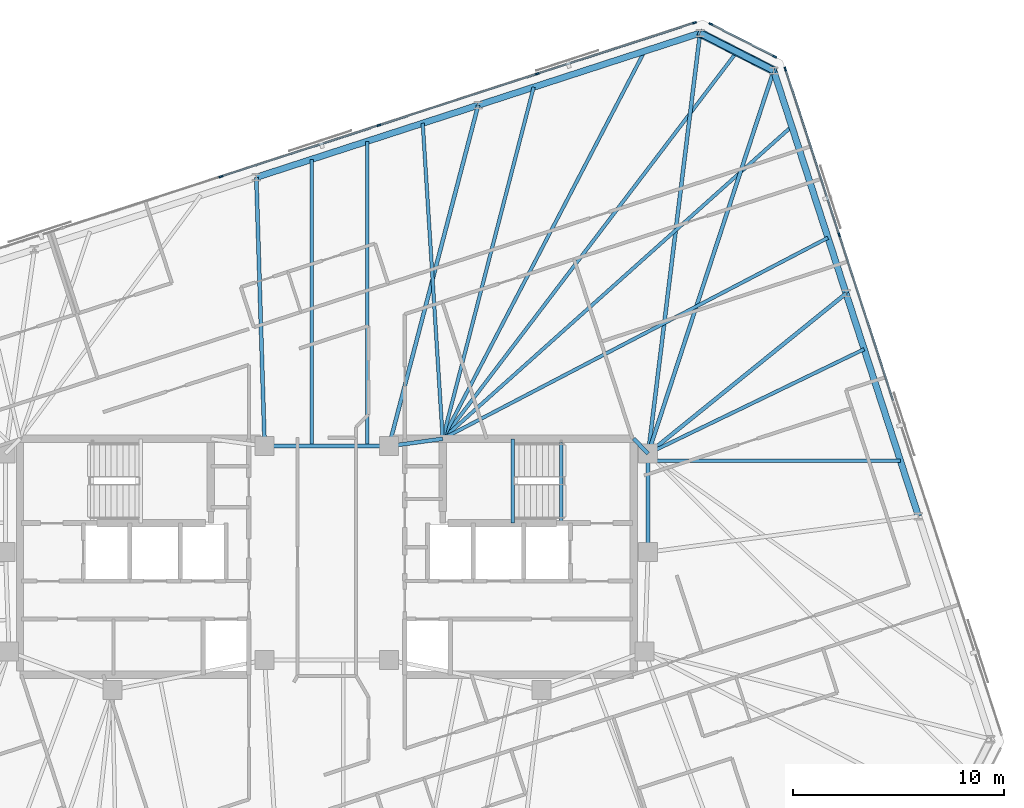
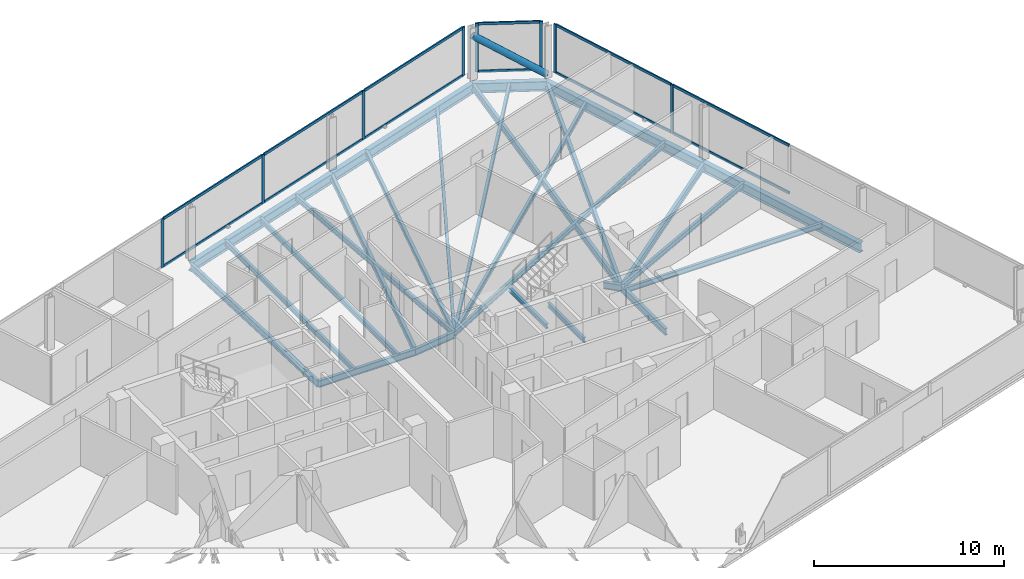
# One storey, part 10 of 19: 26 beams, 21 members, 3 elements without a shape of their own.
"""IFC4 building model written with IfcOpenShell, lengths in metres."""

from ifc_helpers import new_model, si_unit, direction, frame, origin, origin_2d, place, context, subcontext, project, spatial, rectangle, hollow_circle, i_section, extrude, material, material_profile, profile_set, type_object, element, aggregate, save


model = new_model("IFC4")

# Units and contexts
model_context = context("Model", 3, precision=1e-05, world=origin(), true_north=direction((0.0, 1.0)))
body_context = subcontext(model_context, "Body", "Model", "MODEL_VIEW")
ifc_project = project(units=[si_unit("LENGTHUNIT", "METRE"), si_unit("AREAUNIT", "SQUARE_METRE"), si_unit("VOLUMEUNIT", "CUBIC_METRE"), si_unit("PLANEANGLEUNIT", "RADIAN"), si_unit("MASSUNIT", "GRAM", prefix="KILO")], contexts=[model_context])

# Site, building, storey
site_placement = place(None, origin())
site = spatial("IfcSite", under=ifc_project, at=site_placement, CompositionType="ELEMENT")
building_placement = place(site_placement, origin())
building = spatial("IfcBuilding", under=site, at=building_placement, Name="Menara Jurai Vektor", CompositionType="ELEMENT")
storey_placement = place(building_placement, frame((0.0, 0.0, 220.949951171875)))
storey = spatial("IfcBuildingStorey", under=building, at=storey_placement, Name="L58", CompositionType="ELEMENT", Elevation=220.949951171875)

# Curtain wall, members
ifc_material_1 = material(Name="Anodised Pale Aluminium & Low-E Double Glazing", Category="aluminium")
curtain_wall_type = type_object("IfcCurtainWallType", Name="CW-BLK4", PredefinedType="NOTDEFINED", material=ifc_material_1)
curtain_wall_1_placement = place(storey_placement, origin())
curtain_wall_1 = element("IfcCurtainWall", 1, at=curtain_wall_1_placement, inside=storey, type_object=curtain_wall_type, Name="Unitised Curtain Wall L58 F03", PredefinedType="NOTDEFINED")
ifc_material_2 = material(Name="Anodised Pale Aluminium Mullion", Category="aluminium")
ifc_material_profile_1 = material_profile(ifc_material_2, rectangle(XDim=0.080078125, YDim=0.18994140625, at=origin_2d()), Name="ALU MUL 80x190")
ifc_profile_set_1 = profile_set([ifc_material_profile_1], Name="Anodised Pale Aluminium Mullion")
member_type_1 = type_object("IfcMemberType", Name="CW-BLK4-MUL", PredefinedType="MULLION", material=ifc_profile_set_1)
member_1_placement = place(storey_placement, frame((24.31494140625, 15.28271484375, 0.0), z_axis=(0.0, 0.0, 1.0), x_axis=(-0.95105668295, -0.309016481464, 0.0)))
member_1 = element("IfcMember", 2, at=member_1_placement, type_object=member_type_1, Name="CW-04 mullion 4", PredefinedType="MULLION", context=body_context, shape_type="SweptSolid", body=[
    extrude(rectangle(XDim=0.080078125, YDim=0.18994140625, at=origin_2d()), origin(), (0.0, 0.0, 1.0), 3.125),
])
member_2_placement = place(storey_placement, frame((21.75927734375, 23.14794921875, 0.0), z_axis=(0.0, 0.0, 1.0), x_axis=(-0.95105668295, -0.309016481464, 0.0)))
member_2 = element("IfcMember", 3, at=member_2_placement, type_object=member_type_1, Name="CW-04 mullion 5", PredefinedType="MULLION", context=body_context, shape_type="SweptSolid", body=[
    extrude(rectangle(XDim=0.080078125, YDim=0.18994140625, at=origin_2d()), origin(), (0.0, 0.0, 1.0), 3.125),
])

curtain_wall_2_placement = place(storey_placement, origin())
curtain_wall_2 = element("IfcCurtainWall", 4, at=curtain_wall_2_placement, inside=storey, type_object=curtain_wall_type, Name="Unitised Curtain Wall L58 F04", PredefinedType="NOTDEFINED")
member_3_placement = place(storey_placement, frame((21.25537109375, 23.73828125, 0.0), z_axis=(0.0, 0.0, 1.0), x_axis=(-0.453988579828, -0.89100750243, 0.0)))
member_3 = element("IfcMember", 5, at=member_3_placement, type_object=member_type_1, Name="CW-04 mullion 1", PredefinedType="MULLION", context=body_context, shape_type="SweptSolid", body=[
    extrude(rectangle(XDim=0.080078125, YDim=0.18994140625, at=origin_2d()), origin(), (0.0, 0.0, 1.0), 3.125),
])
member_4_placement = place(storey_placement, frame((18.223388671875, 25.282958984375, 0.0), z_axis=(0.0, 0.0, 1.0), x_axis=(-0.453988579828, -0.89100750243, 0.0)))
member_4 = element("IfcMember", 6, at=member_4_placement, type_object=member_type_1, Name="CW-04 mullion 2", PredefinedType="MULLION", context=body_context, shape_type="SweptSolid", body=[
    extrude(rectangle(XDim=0.080078125, YDim=0.18994140625, at=origin_2d()), origin(), (0.0, 0.0, 1.0), 3.125),
])

curtain_wall_3_placement = place(storey_placement, origin())
curtain_wall_3 = element("IfcCurtainWall", 7, at=curtain_wall_3_placement, inside=storey, type_object=curtain_wall_type, Name="Unitised Curtain Wall L58 F05", PredefinedType="NOTDEFINED")
member_5_placement = place(storey_placement, frame((17.44970703125, 25.34375, 0.0), z_axis=(0.0, 0.0, 1.0), x_axis=(0.309017344167, -0.951056402641, 0.0)))
member_5 = element("IfcMember", 8, at=member_5_placement, type_object=member_type_1, Name="CW-04 mullion 1", PredefinedType="MULLION", context=body_context, shape_type="SweptSolid", body=[
    extrude(rectangle(XDim=0.080078125, YDim=0.18994140625, at=origin_2d()), origin(), (0.0, 0.0, 1.0), 3.125),
])
member_6_placement = place(storey_placement, frame((9.982666015625, 22.917724609375, 0.0), z_axis=(0.0, 0.0, 1.0), x_axis=(0.309017344167, -0.951056402641, 0.0)))
member_6 = element("IfcMember", 9, at=member_6_placement, type_object=member_type_1, Name="CW-04 mullion 2", PredefinedType="MULLION", context=body_context, shape_type="SweptSolid", body=[
    extrude(rectangle(XDim=0.080078125, YDim=0.18994140625, at=origin_2d()), origin(), (0.0, 0.0, 1.0), 3.125),
])
member_7_placement = place(storey_placement, frame((2.4775390625, 20.47900390625, 0.0), z_axis=(0.0, 0.0, 1.0), x_axis=(0.309017344167, -0.951056402641, 0.0)))
member_7 = element("IfcMember", 10, at=member_7_placement, type_object=member_type_1, Name="CW-04 mullion 3", PredefinedType="MULLION", context=body_context, shape_type="SweptSolid", body=[
    extrude(rectangle(XDim=0.080078125, YDim=0.18994140625, at=origin_2d()), origin(), (0.0, 0.0, 1.0), 3.125),
])
member_8_placement = place(storey_placement, frame((-5.02783203125, 18.04052734375, 0.0), z_axis=(0.0, 0.0, 1.0), x_axis=(0.309017344167, -0.951056402641, 0.0)))
member_8 = element("IfcMember", 11, at=member_8_placement, type_object=member_type_1, Name="CW-04 mullion 4", PredefinedType="MULLION", context=body_context, shape_type="SweptSolid", body=[
    extrude(rectangle(XDim=0.080078125, YDim=0.18994140625, at=origin_2d()), origin(), (0.0, 0.0, 1.0), 3.125),
])

# Member
ifc_material_3 = material(Name="Anodised Pale Aluminium Transom", Category="aluminium")
ifc_material_profile_2 = material_profile(ifc_material_3, rectangle(XDim=0.080078125, YDim=0.1650390625, at=origin_2d()), Name="ALU TRN 80x165")
ifc_profile_set_2 = profile_set([ifc_material_profile_2], Name="Anodised Pale Aluminium Transom")
member_type_2 = type_object("IfcMemberType", Name="CW-BLK4-TRN", PredefinedType="USERDEFINED", material=ifc_profile_set_2)
member_9_placement = place(storey_placement, frame((26.870361328125, 7.41748046875, 0.0400390625), z_axis=(-0.309010276303, 0.951058699103, 0.0), x_axis=(-0.951058699103, -0.309010276303, 0.0)))
member_9 = element("IfcMember", 12, at=member_9_placement, type_object=member_type_2, Name="CW-04 transom 3.1", ObjectType="TRANSOM", PredefinedType="USERDEFINED", context=body_context, shape_type="SweptSolid", body=[
    extrude(rectangle(XDim=0.080078125, YDim=0.1650390625, at=origin_2d()), origin(), (0.0, 0.0, 1.0), 8.230224609375),
])

member_10_placement = place(storey_placement, frame((26.870361328125, 7.41748046875, 3.0849609375), z_axis=(-0.309010276303, 0.951058699103, 0.0), x_axis=(-0.951058699103, -0.309010276303, 0.0)))
member_10 = element("IfcMember", 13, at=member_10_placement, type_object=member_type_2, Name="CW-04 transom 3.2", ObjectType="TRANSOM", PredefinedType="USERDEFINED", context=body_context, shape_type="SweptSolid", body=[
    extrude(rectangle(XDim=0.080078125, YDim=0.1650390625, at=origin_2d()), origin(), (0.0, 0.0, 1.0), 8.230224609375),
])

member_11_placement = place(storey_placement, frame((24.302490234375, 15.32080078125, 0.0400390625), z_axis=(-0.309001816839, 0.951061447642, 0.0), x_axis=(-0.951061447642, -0.309001816839, 0.0)))
member_11 = element("IfcMember", 14, at=member_11_placement, type_object=member_type_2, Name="CW-04 transom 4.1", ObjectType="TRANSOM", PredefinedType="USERDEFINED", context=body_context, shape_type="SweptSolid", body=[
    extrude(rectangle(XDim=0.080078125, YDim=0.1650390625, at=origin_2d()), origin(), (0.0, 0.0, 1.0), 8.190185546875),
])

member_12_placement = place(storey_placement, frame((24.302490234375, 15.32080078125, 3.0849609375), z_axis=(-0.309001816839, 0.951061447642, 0.0), x_axis=(-0.951061447642, -0.309001816839, 0.0)))
member_12 = element("IfcMember", 15, at=member_12_placement, type_object=member_type_2, Name="CW-04 transom 4.2", ObjectType="TRANSOM", PredefinedType="USERDEFINED", context=body_context, shape_type="SweptSolid", body=[
    extrude(rectangle(XDim=0.080078125, YDim=0.1650390625, at=origin_2d()), origin(), (0.0, 0.0, 1.0), 8.190185546875),
])

aggregate(curtain_wall_1, [member_1, member_2, member_9, member_10, member_11, member_12])

member_13_placement = place(storey_placement, frame((21.2197265625, 23.75634765625, 0.0400390625), z_axis=(-0.89100697374, 0.453989617444, 0.0), x_axis=(-0.453989617444, -0.89100697374, 0.0)))
member_13 = element("IfcMember", 16, at=member_13_placement, type_object=member_type_2, Name="CW-04 transom 1.1", ObjectType="TRANSOM", PredefinedType="USERDEFINED", context=body_context, shape_type="SweptSolid", body=[
    extrude(rectangle(XDim=0.080078125, YDim=0.1650390625, at=origin_2d()), origin(), (0.0, 0.0, 1.0), 3.32275390625),
])

member_14_placement = place(storey_placement, frame((21.2197265625, 23.75634765625, 3.0849609375), z_axis=(-0.89100697374, 0.453989617444, 0.0), x_axis=(-0.453989617444, -0.89100697374, 0.0)))
member_14 = element("IfcMember", 17, at=member_14_placement, type_object=member_type_2, Name="CW-04 transom 1.2", ObjectType="TRANSOM", PredefinedType="USERDEFINED", context=body_context, shape_type="SweptSolid", body=[
    extrude(rectangle(XDim=0.080078125, YDim=0.1650390625, at=origin_2d()), origin(), (0.0, 0.0, 1.0), 3.32275390625),
])

aggregate(curtain_wall_2, [member_3, member_4, member_13, member_14])

member_15_placement = place(storey_placement, frame((17.41162109375, 25.33154296875, 0.0400390625), z_axis=(-0.951049997348, -0.309037056912, 0.0), x_axis=(0.309037056912, -0.951049997348, 0.0)))
member_15 = element("IfcMember", 18, at=member_15_placement, type_object=member_type_2, Name="CW-04 transom 1.1", ObjectType="TRANSOM", PredefinedType="USERDEFINED", context=body_context, shape_type="SweptSolid", body=[
    extrude(rectangle(XDim=0.080078125, YDim=0.1650390625, at=origin_2d()), origin(), (0.0, 0.0, 1.0), 7.771240234375),
])

member_16_placement = place(storey_placement, frame((17.41162109375, 25.33154296875, 3.0849609375), z_axis=(-0.951049997348, -0.309037056912, 0.0), x_axis=(0.309037056912, -0.951049997348, 0.0)))
member_16 = element("IfcMember", 19, at=member_16_placement, type_object=member_type_2, Name="CW-04 transom 1.2", ObjectType="TRANSOM", PredefinedType="USERDEFINED", context=body_context, shape_type="SweptSolid", body=[
    extrude(rectangle(XDim=0.080078125, YDim=0.1650390625, at=origin_2d()), origin(), (0.0, 0.0, 1.0), 7.771240234375),
])

member_17_placement = place(storey_placement, frame((9.944580078125, 22.9052734375, 0.0400390625), z_axis=(-0.951059330237, -0.309008333817, 0.0), x_axis=(0.309008333817, -0.951059330237, 0.0)))
member_17 = element("IfcMember", 20, at=member_17_placement, type_object=member_type_2, Name="CW-04 transom 2.1", ObjectType="TRANSOM", PredefinedType="USERDEFINED", context=body_context, shape_type="SweptSolid", body=[
    extrude(rectangle(XDim=0.080078125, YDim=0.1650390625, at=origin_2d()), origin(), (0.0, 0.0, 1.0), 7.8115234375),
])

member_18_placement = place(storey_placement, frame((9.944580078125, 22.9052734375, 3.0849609375), z_axis=(-0.951059330237, -0.309008333817, 0.0), x_axis=(0.309008333817, -0.951059330237, 0.0)))
member_18 = element("IfcMember", 21, at=member_18_placement, type_object=member_type_2, Name="CW-04 transom 2.2", ObjectType="TRANSOM", PredefinedType="USERDEFINED", context=body_context, shape_type="SweptSolid", body=[
    extrude(rectangle(XDim=0.080078125, YDim=0.1650390625, at=origin_2d()), origin(), (0.0, 0.0, 1.0), 7.8115234375),
])

member_19_placement = place(storey_placement, frame((2.439453125, 20.466552734375, 0.0400390625), z_axis=(-0.951059330237, -0.309008333817, 0.0), x_axis=(0.309008333817, -0.951059330237, 0.0)))
member_19 = element("IfcMember", 22, at=member_19_placement, type_object=member_type_2, Name="CW-04 transom 3.1", ObjectType="TRANSOM", PredefinedType="USERDEFINED", context=body_context, shape_type="SweptSolid", body=[
    extrude(rectangle(XDim=0.080078125, YDim=0.1650390625, at=origin_2d()), origin(), (0.0, 0.0, 1.0), 7.8115234375),
])

member_20_placement = place(storey_placement, frame((2.439453125, 20.466552734375, 3.0849609375), z_axis=(-0.951059330237, -0.309008333817, 0.0), x_axis=(0.309008333817, -0.951059330237, 0.0)))
member_20 = element("IfcMember", 23, at=member_20_placement, type_object=member_type_2, Name="CW-04 transom 3.2", ObjectType="TRANSOM", PredefinedType="USERDEFINED", context=body_context, shape_type="SweptSolid", body=[
    extrude(rectangle(XDim=0.080078125, YDim=0.1650390625, at=origin_2d()), origin(), (0.0, 0.0, 1.0), 7.8115234375),
])

aggregate(curtain_wall_3, [member_5, member_6, member_7, member_8, member_15, member_16, member_17, member_18, member_19, member_20])

# Beams
ifc_material_4 = material(Name="Steel S355", Category="steel")
ifc_material_profile_3 = material_profile(ifc_material_4, i_section(OverallWidth=0.18505859375, OverallDepth=0.429931640625, WebThickness=0.010986328125, FlangeThickness=0.01806640625, at=origin_2d()), Name="PG 430x185x76")
ifc_profile_set_3 = profile_set([ifc_material_profile_3], Name="Steel S355")
beam_type_1 = type_object("IfcBeamType", Name="STR-BM-430", PredefinedType="BEAM", material=ifc_profile_set_3)
beam_1_placement = place(storey_placement, frame((2.949951171875, 5.25, -0.43994140625), z_axis=(0.990706818608, 0.136014703483, 0.0), x_axis=(-0.136014703483, 0.990706818608, 0.0)))
element("IfcBeam", 24, at=beam_1_placement, inside=storey, type_object=beam_type_1, Name="Core Ring Header Girder L58-CHE-N1", PredefinedType="BEAM", context=body_context, shape_type="SweptSolid", body=[
    extrude(i_section(OverallWidth=0.18505859375, OverallDepth=0.429931640625, WebThickness=0.010986328125, FlangeThickness=0.01806640625, at=origin_2d()), origin(), (0.0, 0.0, 1.0), 2.573974609375),
])
beam_2_placement = place(storey_placement, frame((14.56005859375, 5.60009765625, -0.43994140625), z_axis=(0.701871936926, -0.712303154672, 0.0), x_axis=(0.712303154672, 0.701871936926, 0.0)))
element("IfcBeam", 25, at=beam_2_placement, inside=storey, type_object=beam_type_1, Name="Core Ring Header Girder L58-CHE-N2", PredefinedType="BEAM", context=body_context, shape_type="SweptSolid", body=[
    extrude(i_section(OverallWidth=0.18505859375, OverallDepth=0.429931640625, WebThickness=0.010986328125, FlangeThickness=0.01806640625, at=origin_2d()), origin(), (0.0, 0.0, 1.0), 0.98291015625),
])
beam_3_placement = place(storey_placement, frame((15.25, 0.219970703125, -0.43994140625), z_axis=(0.0, 1.0, 0.0), x_axis=(-1.0, 0.0, 0.0)))
element("IfcBeam", 26, at=beam_3_placement, inside=storey, type_object=beam_type_1, Name="Core Ring Header Girder L58-CHE-E1", PredefinedType="BEAM", context=body_context, shape_type="SweptSolid", body=[
    extrude(i_section(OverallWidth=0.18505859375, OverallDepth=0.429931640625, WebThickness=0.010986328125, FlangeThickness=0.01806640625, at=origin_2d()), origin(), (0.0, 0.0, 1.0), 4.679931640625),
])
beam_4_placement = place(storey_placement, frame((-2.949951171875, 5.25, -0.43994140625), z_axis=(1.0, 0.0, 0.0), x_axis=(0.0, 1.0, 0.0)))
element("IfcBeam", 27, at=beam_4_placement, inside=storey, type_object=beam_type_1, Name="Core Ring Header Girder L58-CC-2", PredefinedType="BEAM", context=body_context, shape_type="SweptSolid", body=[
    extrude(i_section(OverallWidth=0.18505859375, OverallDepth=0.429931640625, WebThickness=0.010986328125, FlangeThickness=0.01806640625, at=origin_2d()), origin(), (0.0, 0.0, 1.0), 5.89990234375),
])
beam_5_placement = place(storey_placement, frame((24.641845703125, 12.496826171875, -0.43994140625), z_axis=(-0.777487674144, -0.628898176619, 0.0), x_axis=(0.628898176619, -0.777487674144, 0.0)))
element("IfcBeam", 28, at=beam_5_placement, inside=storey, type_object=beam_type_1, Name="Radial Floor Girder L58-E3", PredefinedType="BEAM", context=body_context, shape_type="SweptSolid", body=[
    extrude(i_section(OverallWidth=0.18505859375, OverallDepth=0.429931640625, WebThickness=0.010986328125, FlangeThickness=0.01806640625, at=origin_2d()), origin(), (0.0, 0.0, 1.0), 12.079833984375),
])
beam_6_placement = place(storey_placement, frame((21.205810546875, 23.071044921875, -0.43994140625), z_axis=(-0.311459010005, -0.950259588263, 0.0), x_axis=(0.950259588263, -0.311459010005, 0.0)))
element("IfcBeam", 29, at=beam_6_placement, inside=storey, type_object=beam_type_1, Name="Radial Floor Girder L58-E4", PredefinedType="BEAM", context=body_context, shape_type="SweptSolid", body=[
    extrude(i_section(OverallWidth=0.18505859375, OverallDepth=0.429931640625, WebThickness=0.010986328125, FlangeThickness=0.01806640625, at=origin_2d()), origin(), (0.0, 0.0, 1.0), 19.122314453125),
])
beam_7_placement = place(storey_placement, frame((17.712890625, 24.85107421875, -0.43994140625), z_axis=(-0.122515938756, -0.99246654591, 0.0), x_axis=(0.99246654591, -0.122515938756, 0.0)))
element("IfcBeam", 30, at=beam_7_placement, inside=storey, type_object=beam_type_1, Name="Radial Floor Girder L58-N1", PredefinedType="BEAM", context=body_context, shape_type="SweptSolid", body=[
    extrude(i_section(OverallWidth=0.18505859375, OverallDepth=0.429931640625, WebThickness=0.010986328125, FlangeThickness=0.01806640625, at=origin_2d()), origin(), (0.0, 0.0, 1.0), 20.1025390625),
])
beam_8_placement = place(storey_placement, frame((7.18359375, 21.4296875, -0.43994140625), z_axis=(-0.253141463003, -0.96742927375, 0.0), x_axis=(0.96742927375, -0.253141463003, 0.0)))
element("IfcBeam", 31, at=beam_8_placement, inside=storey, type_object=beam_type_1, Name="Radial Floor Girder L58-N2", PredefinedType="BEAM", context=body_context, shape_type="SweptSolid", body=[
    extrude(i_section(OverallWidth=0.18505859375, OverallDepth=0.429931640625, WebThickness=0.010986328125, FlangeThickness=0.01806640625, at=origin_2d()), origin(), (0.0, 0.0, 1.0), 16.724365234375),
])
beam_9_placement = place(storey_placement, frame((-3.345703125, 18.008544921875, -0.43994140625), z_axis=(0.031003668991, -0.999519270704, 0.0), x_axis=(0.999519270704, 0.031003668991, 0.0)))
element("IfcBeam", 32, at=beam_9_placement, inside=storey, type_object=beam_type_1, Name="Radial Floor Girder L58-N3", PredefinedType="BEAM", context=body_context, shape_type="SweptSolid", body=[
    extrude(i_section(OverallWidth=0.18505859375, OverallDepth=0.429931640625, WebThickness=0.010986328125, FlangeThickness=0.01806640625, at=origin_2d()), origin(), (0.0, 0.0, 1.0), 12.7646484375),
])

# Member
ifc_material_5 = material(Name="Steel S460", Category="steel")
ifc_material_profile_4 = material_profile(ifc_material_5, hollow_circle(Radius=0.203125, WallThickness=0.01611328125, at=origin_2d()), Name="CHS 406.4x16")
ifc_profile_set_4 = profile_set([ifc_material_profile_4], Name="Steel S460")
member_type_3 = type_object("IfcMemberType", Name="STR-BR-406", PredefinedType="BRACE", material=ifc_profile_set_4)
member_21_placement = place(storey_placement, frame((21.2060546875, 23.071044921875, 0.150146484375), z_axis=(-0.740360915323, 0.377269459996, 0.556357321886), x_axis=(-0.454025593397, -0.890988642206, 0.0)))
element("IfcMember", 33, at=member_21_placement, inside=storey, type_object=member_type_3, Name="Exoskeleton Corner Brace L58-2", PredefinedType="BRACE", context=body_context, shape_type="SweptSolid", body=[
    extrude(hollow_circle(Radius=0.203125, WallThickness=0.01611328125, at=origin_2d()), origin(), (0.0, 0.0, 1.0), 4.71826171875),
])

# Beams
ifc_material_profile_5 = material_profile(ifc_material_4, i_section(OverallWidth=0.1650390625, OverallDepth=0.330078125, WebThickness=0.009033203125, FlangeThickness=0.013916015625, at=origin_2d()), Name="PG 330x165x46")
ifc_profile_set_5 = profile_set([ifc_material_profile_5], Name="Steel S355")
beam_type_2 = type_object("IfcBeamType", Name="STR-JS-330", PredefinedType="JOIST", material=ifc_profile_set_5)
beam_10_placement = place(storey_placement, frame((27.218505859375, 4.56591796875, -0.389892578125), z_axis=(-1.0, 0.0, 0.0), x_axis=(0.0, -1.0, 0.0)))
element("IfcBeam", 34, at=beam_10_placement, inside=storey, type_object=beam_type_2, Name="Radial Secondary Floor Joist L58-JS11", PredefinedType="JOIST", context=body_context, shape_type="SweptSolid", body=[
    extrude(i_section(OverallWidth=0.1650390625, OverallDepth=0.330078125, WebThickness=0.009033203125, FlangeThickness=0.013916015625, at=origin_2d()), origin(), (0.0, 0.0, 1.0), 11.968505859375),
])
beam_11_placement = place(storey_placement, frame((25.500732421875, 9.853271484375, -0.389892578125), z_axis=(-0.900388578627, -0.435086666629, 0.0), x_axis=(0.435086666629, -0.900388578627, 0.0)))
element("IfcBeam", 35, at=beam_11_placement, inside=storey, type_object=beam_type_2, Name="Radial Secondary Floor Joist L58-JS12", PredefinedType="JOIST", context=body_context, shape_type="SweptSolid", body=[
    extrude(i_section(OverallWidth=0.1650390625, OverallDepth=0.330078125, WebThickness=0.009033203125, FlangeThickness=0.013916015625, at=origin_2d()), origin(), (0.0, 0.0, 1.0), 11.384765625),
])
beam_12_placement = place(storey_placement, frame((23.78271484375, 15.140380859375, -0.389892578125), z_axis=(-0.886555502614, -0.462622244153, 0.0), x_axis=(0.462622244153, -0.886555502614, 0.0)))
element("IfcBeam", 36, at=beam_12_placement, inside=storey, type_object=beam_type_2, Name="Radial Secondary Floor Joist L58-JS13", PredefinedType="JOIST", context=body_context, shape_type="SweptSolid", body=[
    extrude(i_section(OverallWidth=0.1650390625, OverallDepth=0.330078125, WebThickness=0.009033203125, FlangeThickness=0.013916015625, at=origin_2d()), origin(), (0.0, 0.0, 1.0), 20.6220703125),
])
beam_13_placement = place(storey_placement, frame((22.06494140625, 20.427490234375, -0.389892578125), z_axis=(-0.745104297608, -0.666947963252, 0.0), x_axis=(0.666947963252, -0.745104297608, 0.0)))
element("IfcBeam", 37, at=beam_13_placement, inside=storey, type_object=beam_type_2, Name="Radial Secondary Floor Joist L58-JS14", PredefinedType="JOIST", context=body_context, shape_type="SweptSolid", body=[
    extrude(i_section(OverallWidth=0.1650390625, OverallDepth=0.330078125, WebThickness=0.009033203125, FlangeThickness=0.013916015625, at=origin_2d()), origin(), (0.0, 0.0, 1.0), 22.231689453125),
])
beam_14_placement = place(storey_placement, frame((19.45947265625, 23.9609375, -0.389892578125), z_axis=(-0.605227110118, -0.796052853257, 0.0), x_axis=(0.796052853257, -0.605227110118, 0.0)))
element("IfcBeam", 38, at=beam_14_placement, inside=storey, type_object=beam_type_2, Name="Radial Secondary Floor Joist L58-JS15", PredefinedType="JOIST", context=body_context, shape_type="SweptSolid", body=[
    extrude(i_section(OverallWidth=0.1650390625, OverallDepth=0.330078125, WebThickness=0.009033203125, FlangeThickness=0.013916015625, at=origin_2d()), origin(), (0.0, 0.0, 1.0), 23.06494140625),
])
beam_15_placement = place(storey_placement, frame((15.08056640625, 23.99560546875, -0.389892578125), z_axis=(-0.461918215026, -0.886922523464, 0.0), x_axis=(0.886922523464, -0.461918215026, 0.0)))
element("IfcBeam", 39, at=beam_15_placement, inside=storey, type_object=beam_type_2, Name="Radial Secondary Floor Joist L58-JS16", PredefinedType="JOIST", context=body_context, shape_type="SweptSolid", body=[
    extrude(i_section(OverallWidth=0.1650390625, OverallDepth=0.330078125, WebThickness=0.009033203125, FlangeThickness=0.013916015625, at=origin_2d()), origin(), (0.0, 0.0, 1.0), 20.74072265625),
])
beam_16_placement = place(storey_placement, frame((9.81591796875, 22.28515625, -0.389892578125), z_axis=(-0.250427234151, -0.968135424616, 0.0), x_axis=(0.968135424616, -0.250427234151, 0.0)))
element("IfcBeam", 40, at=beam_16_placement, inside=storey, type_object=beam_type_2, Name="Radial Secondary Floor Joist L58-JS17", PredefinedType="JOIST", context=body_context, shape_type="SweptSolid", body=[
    extrude(i_section(OverallWidth=0.1650390625, OverallDepth=0.330078125, WebThickness=0.009033203125, FlangeThickness=0.013916015625, at=origin_2d()), origin(), (0.0, 0.0, 1.0), 17.234130859375),
])
beam_17_placement = place(storey_placement, frame((4.55126953125, 20.574462890625, -0.389892578125), z_axis=(0.063230194737, -0.997998969175, 0.0), x_axis=(0.997998969175, 0.063230194737, 0.0)))
element("IfcBeam", 41, at=beam_17_placement, inside=storey, type_object=beam_type_2, Name="Radial Secondary Floor Joist L58-JS18", PredefinedType="JOIST", context=body_context, shape_type="SweptSolid", body=[
    extrude(i_section(OverallWidth=0.1650390625, OverallDepth=0.330078125, WebThickness=0.009033203125, FlangeThickness=0.013916015625, at=origin_2d()), origin(), (0.0, 0.0, 1.0), 15.00439453125),
])
beam_18_placement = place(storey_placement, frame((1.9189453125, 19.71923828125, -0.389892578125), z_axis=(0.0, -1.0, 0.0), x_axis=(1.0, 0.0, 0.0)))
element("IfcBeam", 42, at=beam_18_placement, inside=storey, type_object=beam_type_2, Name="Radial Secondary Floor Joist L58-JS19", PredefinedType="JOIST", context=body_context, shape_type="SweptSolid", body=[
    extrude(i_section(OverallWidth=0.1650390625, OverallDepth=0.330078125, WebThickness=0.009033203125, FlangeThickness=0.013916015625, at=origin_2d()), origin(), (0.0, 0.0, 1.0), 14.46923828125),
])
beam_19_placement = place(storey_placement, frame((-0.71337890625, 18.864013671875, -0.389892578125), z_axis=(0.0, -1.0, 0.0), x_axis=(1.0, 0.0, 0.0)))
element("IfcBeam", 43, at=beam_19_placement, inside=storey, type_object=beam_type_2, Name="Radial Secondary Floor Joist L58-JS20", PredefinedType="JOIST", context=body_context, shape_type="SweptSolid", body=[
    extrude(i_section(OverallWidth=0.1650390625, OverallDepth=0.330078125, WebThickness=0.009033203125, FlangeThickness=0.013916015625, at=origin_2d()), origin(), (0.0, 0.0, 1.0), 13.614013671875),
])
ifc_material_profile_6 = material_profile(ifc_material_4, i_section(OverallWidth=0.1650390625, OverallDepth=0.302978515625, WebThickness=0.006103515625, FlangeThickness=0.010009765625, FilletRadius=0.009033203125, at=origin_2d()), Name="UKB 305x165x40")
ifc_profile_set_6 = profile_set([ifc_material_profile_6], Name="Steel S355")
beam_type_3 = type_object("IfcBeamType", Name="STR-LN-305", PredefinedType="LINTEL", material=ifc_profile_set_6)
beam_20_placement = place(storey_placement, frame((11.1201171875, 1.60009765625, -0.37646484375), z_axis=(0.0, 1.0, 0.0), x_axis=(-1.0, 0.0, 0.0)))
element("IfcBeam", 44, at=beam_20_placement, inside=storey, type_object=beam_type_3, Name="Stair Well Floor Trimmer ST2 L58", PredefinedType="LINTEL", context=body_context, shape_type="SweptSolid", body=[
    extrude(i_section(OverallWidth=0.1650390625, OverallDepth=0.302978515625, WebThickness=0.006103515625, FlangeThickness=0.010009765625, FilletRadius=0.009033203125, at=origin_2d()), origin(), (0.0, 0.0, 1.0), 3.81982421875),
])
beam_21_placement = place(storey_placement, frame((8.830078125, 1.60009765625, 1.323486328125), z_axis=(0.0, 1.0, 0.0), x_axis=(-1.0, 0.0, 0.0)))
element("IfcBeam", 45, at=beam_21_placement, inside=storey, type_object=beam_type_3, Name="Stair Half-Landing Nosing Trimmer ST2-1 L58", PredefinedType="LINTEL", context=body_context, shape_type="SweptSolid", body=[
    extrude(i_section(OverallWidth=0.1650390625, OverallDepth=0.302978515625, WebThickness=0.006103515625, FlangeThickness=0.010009765625, FilletRadius=0.009033203125, at=origin_2d()), origin(), (0.0, 0.0, 1.0), 4.0),
])
ifc_material_profile_7 = material_profile(ifc_material_4, i_section(OverallWidth=0.306884765625, OverallDepth=0.6201171875, WebThickness=0.013916015625, FlangeThickness=0.02392578125, FilletRadius=0.01708984375, at=origin_2d()), Name="UKB 610x305x179")
ifc_profile_set_7 = profile_set([ifc_material_profile_7], Name="Steel S355")
beam_type_4 = type_object("IfcBeamType", Name="STR-SP-610", PredefinedType="SPANDREL", material=ifc_profile_set_7)
beam_22_placement = place(storey_placement, frame((28.07763671875, 1.92236328125, -0.534912109375), z_axis=(-0.309012092614, 0.95105810896, 0.0), x_axis=(-0.95105810896, -0.309012092614, 0.0)))
element("IfcBeam", 46, at=beam_22_placement, inside=storey, type_object=beam_type_4, Name="Exoskeleton Spandrel Beam L58-08", PredefinedType="SPANDREL", context=body_context, shape_type="SweptSolid", body=[
    extrude(i_section(OverallWidth=0.306884765625, OverallDepth=0.6201171875, WebThickness=0.013916015625, FlangeThickness=0.02392578125, FilletRadius=0.01708984375, at=origin_2d()), origin(), (0.0, 0.0, 1.0), 11.11865234375),
])
beam_23_placement = place(storey_placement, frame((24.641845703125, 12.496826171875, -0.534912109375), z_axis=(-0.309038407092, 0.951049558615, 0.0), x_axis=(-0.951049558615, -0.309038407092, 0.0)))
element("IfcBeam", 47, at=beam_23_placement, inside=storey, type_object=beam_type_4, Name="Exoskeleton Spandrel Beam L58-09", PredefinedType="SPANDREL", context=body_context, shape_type="SweptSolid", body=[
    extrude(i_section(OverallWidth=0.306884765625, OverallDepth=0.6201171875, WebThickness=0.013916015625, FlangeThickness=0.02392578125, FilletRadius=0.01708984375, at=origin_2d()), origin(), (0.0, 0.0, 1.0), 11.118408203125),
])
beam_24_placement = place(storey_placement, frame((21.205810546875, 23.071044921875, -0.534912109375), z_axis=(-0.890975804423, 0.454050785633, 0.0), x_axis=(-0.454050785633, -0.890975804423, 0.0)))
element("IfcBeam", 48, at=beam_24_placement, inside=storey, type_object=beam_type_4, Name="Exoskeleton Spandrel Beam L58-10", PredefinedType="SPANDREL", context=body_context, shape_type="SweptSolid", body=[
    extrude(i_section(OverallWidth=0.306884765625, OverallDepth=0.6201171875, WebThickness=0.013916015625, FlangeThickness=0.02392578125, FilletRadius=0.01708984375, at=origin_2d()), origin(), (0.0, 0.0, 1.0), 3.92041015625),
])
beam_25_placement = place(storey_placement, frame((17.712890625, 24.85107421875, -0.534912109375), z_axis=(-0.951050920942, -0.309034214572, 0.0), x_axis=(0.309034214572, -0.951050920942, 0.0)))
element("IfcBeam", 49, at=beam_25_placement, inside=storey, type_object=beam_type_4, Name="Exoskeleton Spandrel Beam L58-11", PredefinedType="SPANDREL", context=body_context, shape_type="SweptSolid", body=[
    extrude(i_section(OverallWidth=0.306884765625, OverallDepth=0.6201171875, WebThickness=0.013916015625, FlangeThickness=0.02392578125, FilletRadius=0.01708984375, at=origin_2d()), origin(), (0.0, 0.0, 1.0), 11.0712890625),
])
beam_26_placement = place(storey_placement, frame((7.18359375, 21.4296875, -0.534912109375), z_axis=(-0.951057401967, -0.309014268544, 0.0), x_axis=(0.309014268544, -0.951057401967, 0.0)))
element("IfcBeam", 50, at=beam_26_placement, inside=storey, type_object=beam_type_4, Name="Exoskeleton Spandrel Beam L58-12", PredefinedType="SPANDREL", context=body_context, shape_type="SweptSolid", body=[
    extrude(i_section(OverallWidth=0.306884765625, OverallDepth=0.6201171875, WebThickness=0.013916015625, FlangeThickness=0.02392578125, FilletRadius=0.01708984375, at=origin_2d()), origin(), (0.0, 0.0, 1.0), 11.071044921875),
])

save(model, "model.ifc")
